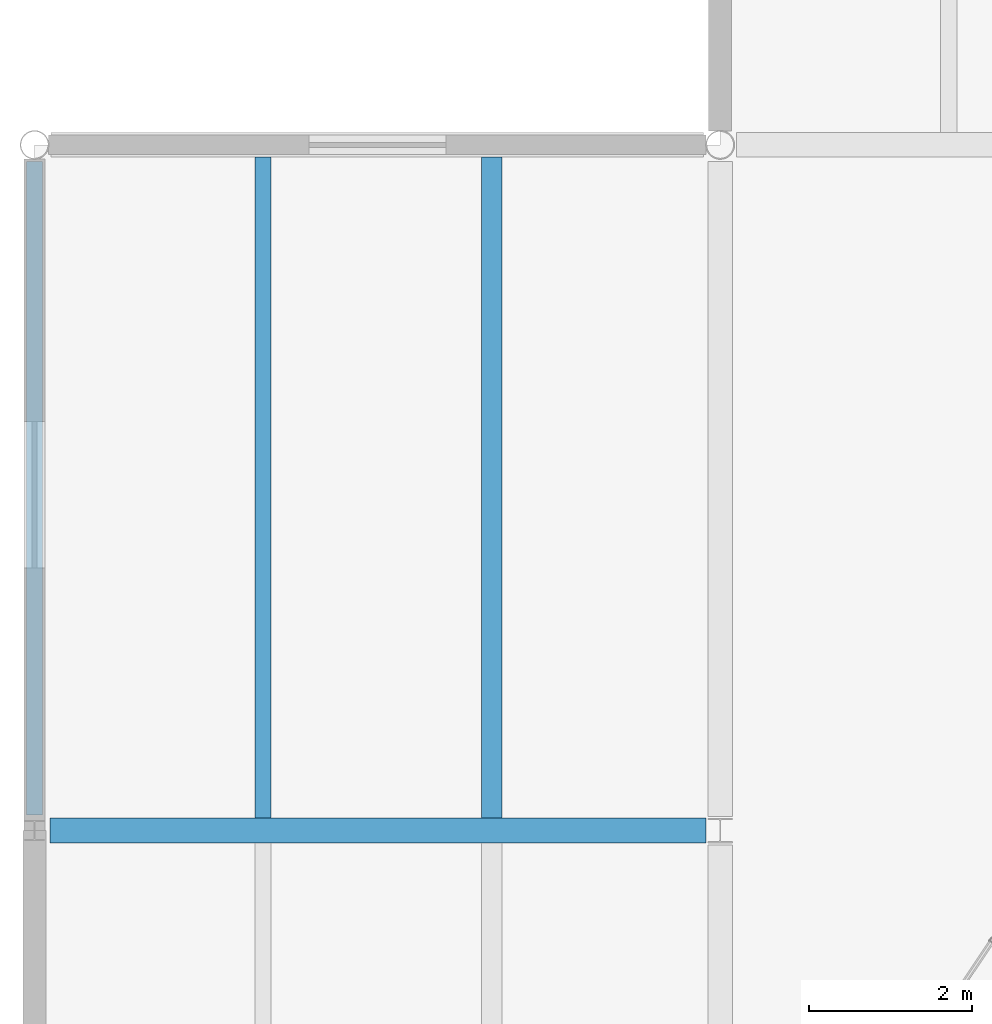
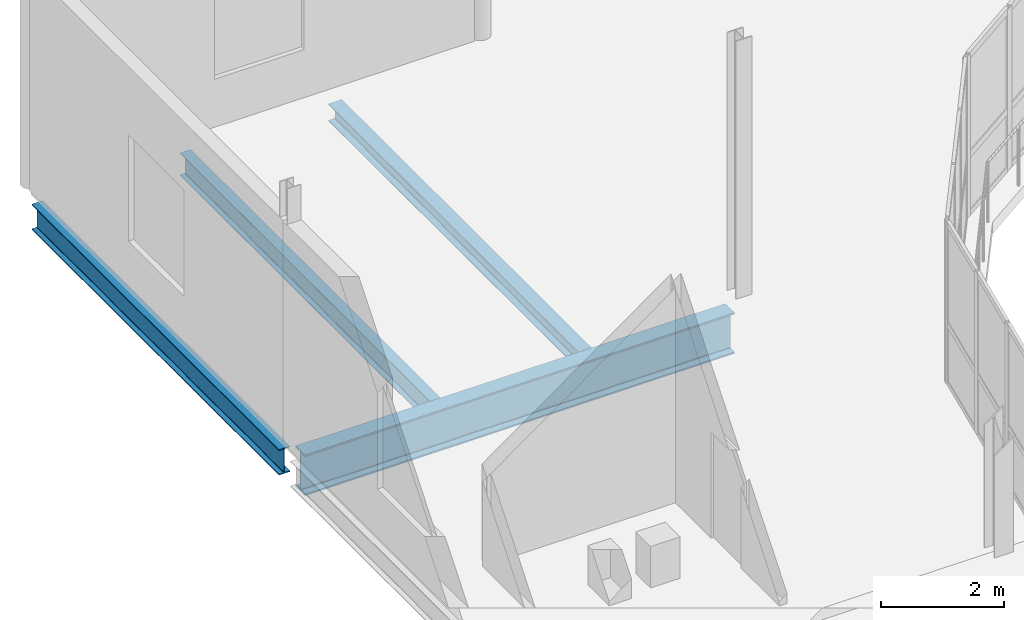
# One storey, part 20 of 91: 4 beams.
"""IFC4 building model written with IfcOpenShell, lengths in metres."""

from ifc_helpers import new_model, si_unit, direction, frame, origin, origin_2d, place, context, subcontext, project, spatial, i_section, extrude, material, material_profile, profile_set, type_object, element, save


model = new_model("IFC4")

# Units and contexts
model_context = context("Model", 3, precision=1e-05, world=origin(), true_north=direction((0.0, 1.0)))
body_context = subcontext(model_context, "Body", "Model", "MODEL_VIEW")
ifc_project = project(units=[si_unit("LENGTHUNIT", "METRE"), si_unit("AREAUNIT", "SQUARE_METRE"), si_unit("VOLUMEUNIT", "CUBIC_METRE"), si_unit("PLANEANGLEUNIT", "RADIAN"), si_unit("MASSUNIT", "GRAM", prefix="KILO"), si_unit("THERMODYNAMICTEMPERATUREUNIT", "KELVIN")], contexts=[model_context])

# Site, building, storey
site_placement = place(None, origin())
site = spatial("IfcSite", under=ifc_project, at=site_placement, CompositionType="ELEMENT")
building_placement = place(site_placement, origin())
building = spatial("IfcBuilding", under=site, at=building_placement, Name="Lustrewick Department Store", CompositionType="ELEMENT")
storey_placement = place(building_placement, frame((0.0, 0.0, 21.60009765625)))
storey = spatial("IfcBuildingStorey", under=building, at=storey_placement, Name="L05", CompositionType="ELEMENT", Elevation=21.60009765625)

# Beams
ifc_material_1 = material(Name="Structural steel Q355B", Category="steel")
ifc_material_profile_1 = material_profile(ifc_material_1, i_section(OverallWidth=0.198974609375, OverallDepth=0.446044921875, WebThickness=0.008056640625, FlangeThickness=0.011962890625, FilletRadius=0.01611328125, at=origin_2d()), Name="HN 446x199x8x12")
ifc_profile_set_1 = profile_set([ifc_material_profile_1], Name="Structural steel Q355B")
beam_type_1 = type_object("IfcBeamType", Name="B04", PredefinedType="JOIST", material=ifc_profile_set_1)
beam_1_placement = place(storey_placement, frame((11.199951171875, 75.7509765625, -0.47802734375), z_axis=(0.0, 1.0, 0.0), x_axis=(-1.0, 0.0, 0.0)))
element("IfcBeam", 1, at=beam_1_placement, inside=storey, type_object=beam_type_1, Name="L05 V1 Secondary Joist B04", PredefinedType="JOIST", context=body_context, shape_type="SweptSolid", body=[
    extrude(i_section(OverallWidth=0.198974609375, OverallDepth=0.446044921875, WebThickness=0.008056640625, FlangeThickness=0.011962890625, FilletRadius=0.01611328125, at=origin_2d()), origin(), (0.0, 0.0, 1.0), 8.09912109375),
])
ifc_material_profile_2 = material_profile(ifc_material_1, i_section(OverallWidth=0.25, OverallDepth=0.340087890625, WebThickness=0.009033203125, FlangeThickness=0.013916015625, FilletRadius=0.01611328125, at=origin_2d()), Name="HM 340x250x9x14")
ifc_profile_set_2 = profile_set([ifc_material_profile_2], Name="Structural steel Q355B")
beam_type_2 = type_object("IfcBeamType", Name="B08", PredefinedType="JOIST", material=ifc_profile_set_2)
beam_2_placement = place(storey_placement, frame((14.0, 75.7509765625, -0.425048828125), z_axis=(0.0, 1.0, 0.0), x_axis=(-1.0, 0.0, 0.0)))
element("IfcBeam", 2, at=beam_2_placement, inside=storey, type_object=beam_type_2, Name="L05 V1 Secondary Joist B08", PredefinedType="JOIST", context=body_context, shape_type="SweptSolid", body=[
    extrude(i_section(OverallWidth=0.25, OverallDepth=0.340087890625, WebThickness=0.009033203125, FlangeThickness=0.013916015625, FilletRadius=0.01611328125, at=origin_2d()), origin(), (0.0, 0.0, 1.0), 8.09912109375),
])
ifc_material_2 = material(Name="Structural steel Q355C", Category="steel")
ifc_material_profile_3 = material_profile(ifc_material_2, i_section(OverallWidth=0.302001953125, OverallDepth=0.80810546875, WebThickness=0.01611328125, FlangeThickness=0.030029296875, FilletRadius=0.02197265625, at=origin_2d()), Name="HN 808x302x16x30")
ifc_profile_set_3 = profile_set([ifc_material_profile_3], Name="Structural steel Q355C")
beam_type_3 = type_object("IfcBeamType", Name="G04", PredefinedType="BEAM", material=ifc_profile_set_3)
beam_3_placement = place(storey_placement, frame((8.58837890625, 75.60009765625, -0.6591796875), z_axis=(1.0, 0.0, 0.0), x_axis=(0.0, 1.0, 0.0)))
element("IfcBeam", 3, at=beam_3_placement, inside=storey, type_object=beam_type_3, Name="L05 V1 Girder G04", PredefinedType="BEAM", context=body_context, shape_type="SweptSolid", body=[
    extrude(i_section(OverallWidth=0.302001953125, OverallDepth=0.80810546875, WebThickness=0.01611328125, FlangeThickness=0.030029296875, FilletRadius=0.02197265625, at=origin_2d()), origin(), (0.0, 0.0, 1.0), 8.03662109375),
])
ifc_material_profile_4 = material_profile(ifc_material_1, i_section(OverallWidth=0.200927734375, OverallDepth=0.506103515625, WebThickness=0.010986328125, FlangeThickness=0.01904296875, FilletRadius=0.01611328125, at=origin_2d()), Name="HN 506x201x11x19")
ifc_profile_set_4 = profile_set([ifc_material_profile_4], Name="Structural steel Q355B")
beam_type_4 = type_object("IfcBeamType", Name="SP01", PredefinedType="SPANDREL", material=ifc_profile_set_4)
beam_4_placement = place(storey_placement, frame((8.39990234375, 75.78857421875, -0.508056640625), z_axis=(0.0, 1.0, 0.0), x_axis=(-1.0, 0.0, 0.0)))
element("IfcBeam", 4, at=beam_4_placement, inside=storey, type_object=beam_type_4, Name="L05 V1 Girder SP01", PredefinedType="SPANDREL", context=body_context, shape_type="SweptSolid", body=[
    extrude(i_section(OverallWidth=0.200927734375, OverallDepth=0.506103515625, WebThickness=0.010986328125, FlangeThickness=0.01904296875, FilletRadius=0.01611328125, at=origin_2d()), origin(), (0.0, 0.0, 1.0), 8.008544921875),
])

save(model, "model.ifc")
